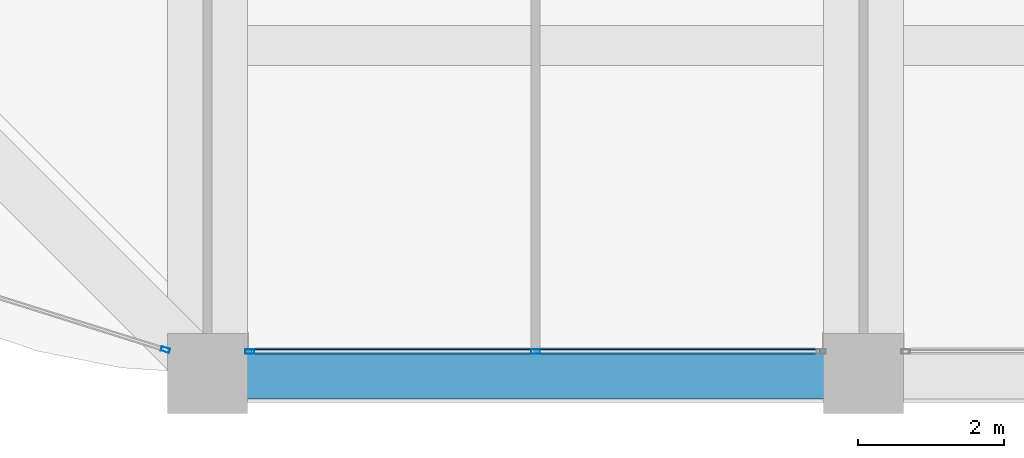
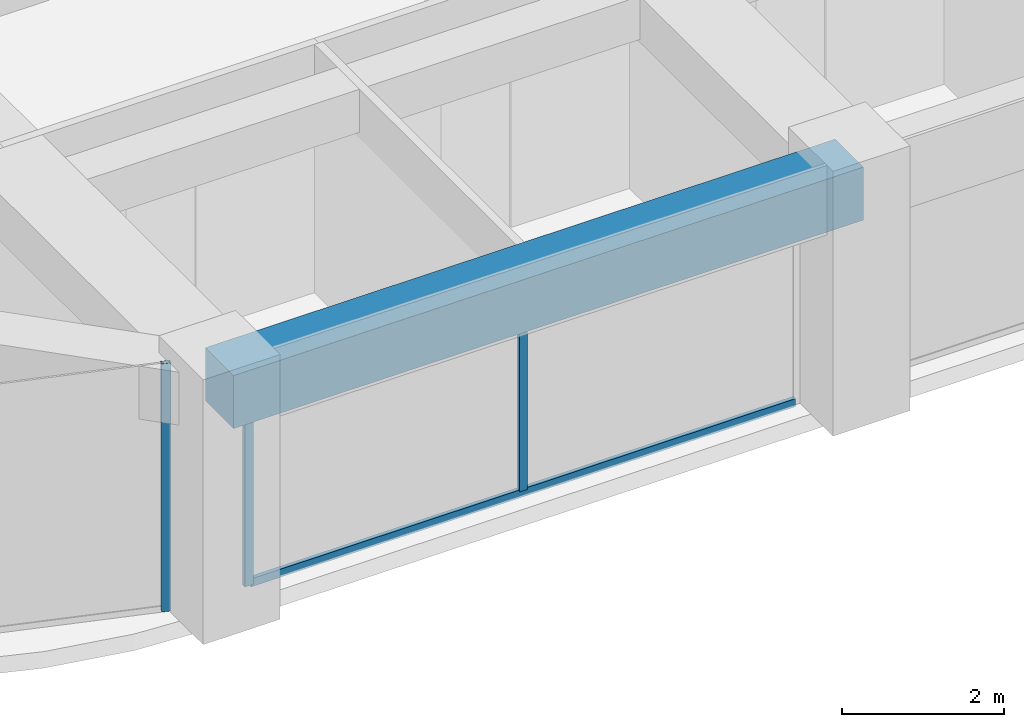
# One storey, part 4 of 44: 4 members, 1 beam, 2 elements without a shape of their own.
"""IFC4 building model written with IfcOpenShell, lengths in metres."""

from ifc_helpers import new_model, si_unit, direction, frame, origin, origin_2d, place, context, subcontext, project, spatial, rectangle, hollow_rectangle, extrude, material, material_profile, profile_set, type_object, element, aggregate, save


model = new_model("IFC4")

# Units and contexts
model_context = context("Model", 3, precision=1e-05, world=origin(), true_north=direction((0.0, 1.0)))
body_context = subcontext(model_context, "Body", "Model", "MODEL_VIEW")
ifc_project = project(units=[si_unit("LENGTHUNIT", "METRE"), si_unit("AREAUNIT", "SQUARE_METRE"), si_unit("VOLUMEUNIT", "CUBIC_METRE"), si_unit("PLANEANGLEUNIT", "RADIAN"), si_unit("MASSUNIT", "GRAM", prefix="KILO")], contexts=[model_context])

# Site, building, storey
site_placement = place(None, origin())
site = spatial("IfcSite", under=ifc_project, at=site_placement, CompositionType="ELEMENT")
building_placement = place(site_placement, origin())
building = spatial("IfcBuilding", under=site, at=building_placement, Name="Zorevar Civic Tower", CompositionType="ELEMENT")
storey_placement = place(building_placement, frame((0.0, 0.0, 275.39990234375)))
storey = spatial("IfcBuildingStorey", under=building, at=storey_placement, Name="L67", CompositionType="ELEMENT", Elevation=275.39990234375)

# Curtain wall, members
ifc_material_1 = material(Name="Dark grey solar-control glass in black aluminium frame", Category="aluminium")
curtain_wall_type = type_object("IfcCurtainWallType", Name="Curtain wall CW5 top zone", PredefinedType="NOTDEFINED", material=ifc_material_1)
curtain_wall_1_placement = place(storey_placement, origin())
curtain_wall_1 = element("IfcCurtainWall", 1, at=curtain_wall_1_placement, inside=storey, type_object=curtain_wall_type, Name="CW5 L67", PredefinedType="NOTDEFINED")
ifc_material_2 = material(Name="Aluminium, black anodised", Category="aluminium")
ifc_material_profile_1 = material_profile(ifc_material_2, hollow_rectangle(XDim=0.06005859375, YDim=0.1201171875, WallThickness=0.0029296875, at=origin_2d()), Name="AL 120x60x3")
ifc_profile_set_1 = profile_set([ifc_material_profile_1], Name="Aluminium, black anodised")
member_type_1 = type_object("IfcMemberType", Name="CW5 mullion AL 120x60x3", PredefinedType="MULLION", material=ifc_profile_set_1)
member_1_placement = place(storey_placement, frame((18.580078125, 0.300048828125, 0.0), z_axis=(0.0, 0.0, 1.0), x_axis=(0.0, 1.0, 0.0)))
member_1 = element("IfcMember", 2, at=member_1_placement, type_object=member_type_1, Name="CW5 mullion 1", PredefinedType="MULLION", context=body_context, shape_type="SweptSolid", body=[
    extrude(hollow_rectangle(XDim=0.06005859375, YDim=0.1201171875, WallThickness=0.0029296875, at=origin_2d()), origin(), (0.0, 0.0, 1.0), 2.9501953125),
])
member_2_placement = place(storey_placement, frame((22.5, 0.300048828125, 0.06005859375), z_axis=(0.0, 0.0, 1.0), x_axis=(0.0, 1.0, 0.0)))
member_2 = element("IfcMember", 3, at=member_2_placement, type_object=member_type_1, Name="CW5 mullion 2", PredefinedType="MULLION", context=body_context, shape_type="SweptSolid", body=[
    extrude(hollow_rectangle(XDim=0.06005859375, YDim=0.1201171875, WallThickness=0.0029296875, at=origin_2d()), origin(), (0.0, 0.0, 1.0), 2.89013671875),
])

# Curtain wall, member
curtain_wall_2_placement = place(storey_placement, origin())
curtain_wall_2 = element("IfcCurtainWall", 4, at=curtain_wall_2_placement, inside=storey, type_object=curtain_wall_type, Name="CW5 L67", PredefinedType="NOTDEFINED")
member_3_placement = place(storey_placement, frame((17.42138671875, 0.326416015625, 0.0), z_axis=(0.0, 0.0, 1.0), x_axis=(0.299317920238, 0.954153437674, 0.0)))
member_3 = element("IfcMember", 5, at=member_3_placement, type_object=member_type_1, Name="CW5 mullion 2", PredefinedType="MULLION", context=body_context, shape_type="SweptSolid", body=[
    extrude(hollow_rectangle(XDim=0.06005859375, YDim=0.1201171875, WallThickness=0.0029296875, at=origin_2d()), origin(), (0.0, 0.0, 1.0), 3.75),
])
aggregate(curtain_wall_2, [member_3])

# Member
ifc_material_3 = material(Name="Aluminium, black anodised", Category="aluminium")
ifc_material_profile_2 = material_profile(ifc_material_3, hollow_rectangle(XDim=0.06005859375, YDim=0.1201171875, WallThickness=0.0029296875, at=origin_2d()), Name="AL 120x60x3")
ifc_profile_set_2 = profile_set([ifc_material_profile_2], Name="Aluminium, black anodised")
member_type_2 = type_object("IfcMemberType", Name="CW5 transom AL 120x60x3", PredefinedType="USERDEFINED", material=ifc_profile_set_2)
member_4_placement = place(storey_placement, frame((18.610107421875, 0.300048828125, 0.030029296875), z_axis=(1.0, 0.0, 0.0), x_axis=(0.0, 1.0, 0.0)))
member_4 = element("IfcMember", 6, at=member_4_placement, type_object=member_type_2, Name="CW5 sill transom", ObjectType="TRANSOM", PredefinedType="USERDEFINED", context=body_context, shape_type="SweptSolid", body=[
    extrude(hollow_rectangle(XDim=0.06005859375, YDim=0.1201171875, WallThickness=0.0029296875, at=origin_2d()), origin(), (0.0, 0.0, 1.0), 7.77978515625),
])

aggregate(curtain_wall_1, [member_1, member_2, member_4])

# Beam
ifc_material_4 = material(Name="Concrete C50/60", Category="concrete")
ifc_material_profile_3 = material_profile(ifc_material_4, rectangle(XDim=0.699951171875, YDim=0.800048828125, at=origin_2d()), Name="RC 700x800")
ifc_profile_set_3 = profile_set([ifc_material_profile_3], Name="Concrete C50/60")
beam_type = type_object("IfcBeamType", Name="Edge beam RC 700x800", PredefinedType="SPANDREL", material=ifc_profile_set_3)
beam_placement = place(storey_placement, frame((18.0, 0.0, 3.35009765625), z_axis=(1.0, 0.0, 0.0), x_axis=(0.0, 1.0, 0.0)))
element("IfcBeam", 7, at=beam_placement, inside=storey, type_object=beam_type, Name="Edge beam L68", PredefinedType="SPANDREL", context=body_context, shape_type="SweptSolid", body=[
    extrude(rectangle(XDim=0.699951171875, YDim=0.800048828125, at=origin_2d()), origin(), (0.0, 0.0, 1.0), 9.0),
])

save(model, "model.ifc")
